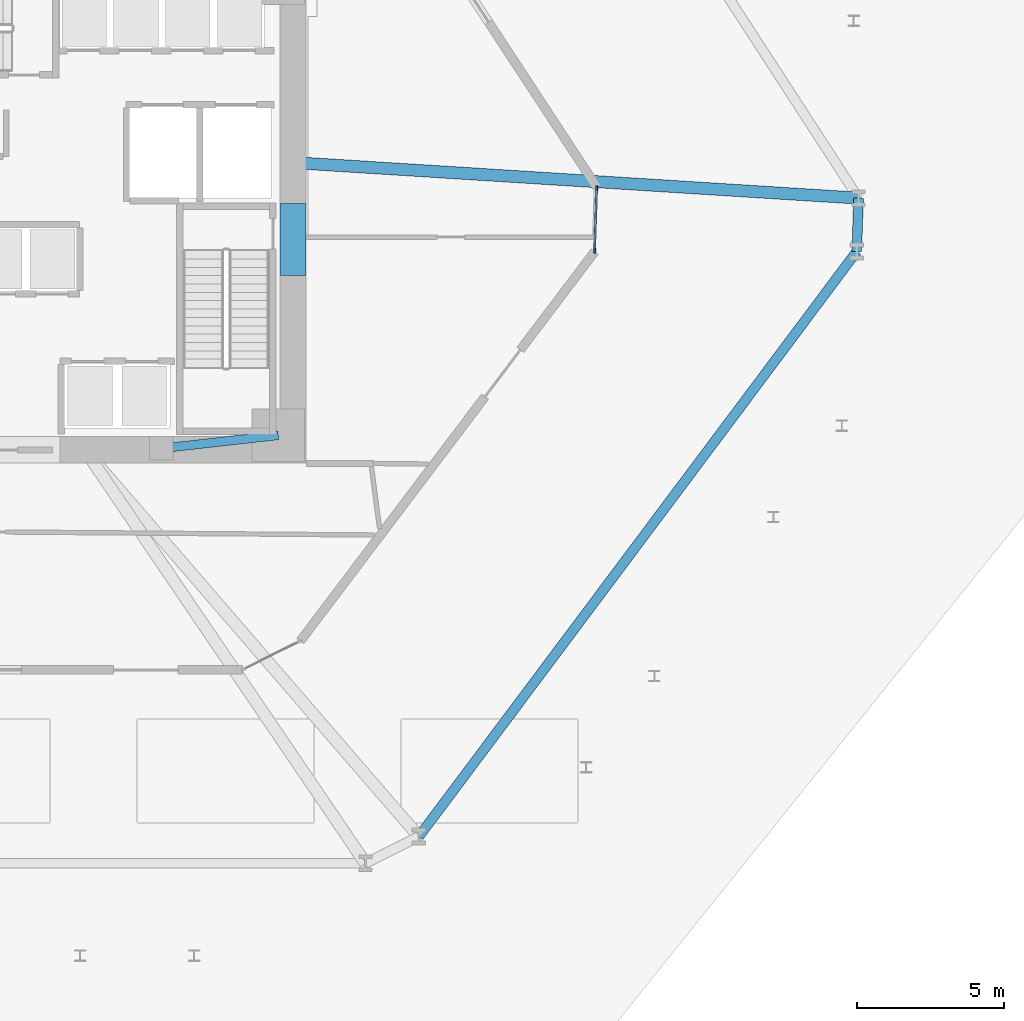
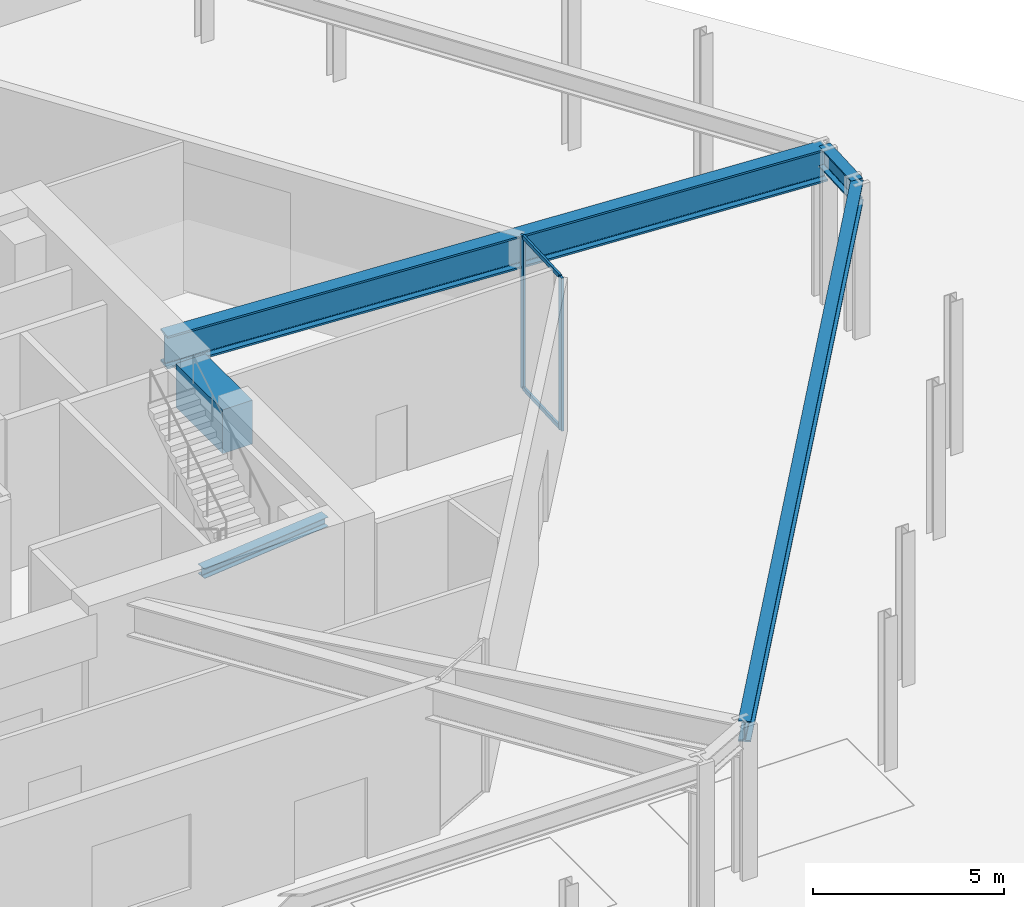
# One storey, part 8 of 18: 5 beams, 4 members, 1 element without a shape of its own.
"""IFC4 building model written with IfcOpenShell, lengths in metres."""

from ifc_helpers import new_model, si_unit, direction, frame, origin, origin_2d, place, context, subcontext, project, spatial, rectangle, i_section, extrude, source, transform, mapped, material, layer, layer_set, material_profile, profile_set, type_object, type_shapes, element, aggregate, save


model = new_model("IFC4")

# Units and contexts
model_context = context("Model", 3, precision=1e-05, world=origin(), true_north=direction((0.0, 1.0)))
body_context = subcontext(model_context, "Body", "Model", "MODEL_VIEW")
ifc_project = project(units=[si_unit("LENGTHUNIT", "METRE"), si_unit("AREAUNIT", "SQUARE_METRE"), si_unit("VOLUMEUNIT", "CUBIC_METRE"), si_unit("PLANEANGLEUNIT", "RADIAN"), si_unit("MASSUNIT", "GRAM", prefix="KILO")], contexts=[model_context])

# Site, building, storey
site_placement = place(None, origin())
site = spatial("IfcSite", under=ifc_project, at=site_placement, CompositionType="ELEMENT")
building_placement = place(site_placement, origin())
building = spatial("IfcBuilding", under=site, at=building_placement, Name="Durnholm Broadcast Tower", CompositionType="ELEMENT")
storey_placement = place(building_placement, origin())
storey = spatial("IfcBuildingStorey", under=building, at=storey_placement, Name="L00", CompositionType="ELEMENT", Elevation=0.0)

# Beams
ifc_material_1 = material(Name="Steel ASTM A992 Grade 50", Category="steel")
ifc_material_profile_1 = material_profile(ifc_material_1, i_section(OverallWidth=0.3330078125, OverallDepth=0.660888671875, WebThickness=0.0244140625, FlangeThickness=0.0439453125, FilletRadius=0.02783203125, at=origin_2d()), Name="W24X229")
ifc_profile_set_1 = profile_set([ifc_material_profile_1], Name="Steel ASTM A992 Grade 50")
beam_type_1 = type_object("IfcBeamType", Name="STL-SP-W24X229", PredefinedType="SPANDREL", material=ifc_profile_set_1)
shared_shape_1 = source(origin(), body_context, "Body", "SweptSolid", [
    extrude(i_section(OverallWidth=0.3330078125, OverallDepth=0.660888671875, WebThickness=0.0244140625, FlangeThickness=0.0439453125, FilletRadius=0.02783203125, at=origin_2d()), origin(), (0.0, 0.0, 1.0), 1.820068359375),
])
beam_1_placement = place(storey_placement, frame((29.590576171875, 0.28857421875, 4.5546875), z_axis=(-0.033667655889, -0.999433083776, 0.0), x_axis=(0.999433083776, -0.033667655889, 0.0)))
element("IfcBeam", 1, at=beam_1_placement, inside=storey, type_object=beam_type_1, Name="L00 perimeter spandrel girder 08", PredefinedType="SPANDREL", context=body_context, shape_type="MappedRepresentation", body=[
    mapped(shared_shape_1, transform((0.0, 0.0, 0.0), x_axis=(1.0, 0.0, 0.0), y_axis=(0.0, 1.0, 0.0), z_axis=(0.0, 0.0, 1.0), scale=1.0)),
])
shared_shape_2 = source(origin(), body_context, "Body", "SweptSolid", [
    extrude(i_section(OverallWidth=0.3330078125, OverallDepth=0.660888671875, WebThickness=0.0244140625, FlangeThickness=0.0439453125, FilletRadius=0.02783203125, at=origin_2d()), origin(), (0.0, 0.0, 1.0), 24.926513671875),
])
type_shapes(beam_type_1, [shared_shape_1, shared_shape_2])
beam_2_placement = place(storey_placement, frame((29.529296875, -1.530517578125, 4.5546875), z_axis=(-0.599153427318, -0.800634230178, 0.0), x_axis=(0.800634230178, -0.599153427318, 0.0)))
element("IfcBeam", 2, at=beam_2_placement, inside=storey, type_object=beam_type_1, Name="L00 perimeter spandrel girder 09", PredefinedType="SPANDREL", context=body_context, shape_type="MappedRepresentation", body=[
    mapped(shared_shape_2, transform((0.0, 0.0, 0.0), x_axis=(1.0, 0.0, 0.0), y_axis=(0.0, 1.0, 0.0), z_axis=(0.0, 0.0, 1.0), scale=1.0)),
])
ifc_material_profile_2 = material_profile(ifc_material_1, i_section(OverallWidth=0.3046875, OverallDepth=0.307861328125, WebThickness=0.010009765625, FlangeThickness=0.015380859375, FilletRadius=0.019287109375, at=origin_2d()), Name="W12X65")
ifc_profile_set_2 = profile_set([ifc_material_profile_2], Name="Steel ASTM A992 Grade 50")
beam_type_2 = type_object("IfcBeamType", Name="STL-BL-W12X65", PredefinedType="LINTEL", material=ifc_profile_set_2)
shared_shape_3 = source(origin(), body_context, "Body", "SweptSolid", [
    extrude(i_section(OverallWidth=0.3046875, OverallDepth=0.307861328125, WebThickness=0.010009765625, FlangeThickness=0.015380859375, FilletRadius=0.019287109375, at=origin_2d()), origin(), (0.0, 0.0, 1.0), 4.025146484375),
])
type_shapes(beam_type_2, [shared_shape_3])
beam_3_placement = place(storey_placement, frame((9.800048828125, -7.800048828125, 4.731201171875), z_axis=(-0.993732663715, -0.111782794142, 0.0), x_axis=(0.111782794142, -0.993732663715, 0.0)))
element("IfcBeam", 3, at=beam_3_placement, inside=storey, type_object=beam_type_2, Name="L00 east pilaster tie lintel", PredefinedType="LINTEL", context=body_context, shape_type="MappedRepresentation", body=[
    mapped(shared_shape_3, transform((0.0, 0.0, 0.0), x_axis=(1.0, 0.0, 0.0), y_axis=(0.0, 1.0, 0.0), z_axis=(0.0, 0.0, 1.0), scale=1.0)),
])
ifc_material_2 = material(Name="Concrete C70/85", Category="concrete")
ifc_material_profile_3 = material_profile(ifc_material_2, rectangle(XDim=0.89990234375, YDim=1.39990234375, at=origin_2d()), Name="RC900X1400")
ifc_profile_set_3 = profile_set([ifc_material_profile_3], Name="Concrete C70/85")
beam_type_3 = type_object("IfcBeamType", Name="BM-CB-RC1400", PredefinedType="LINTEL", material=ifc_profile_set_3)
shared_shape_4 = source(origin(), body_context, "Body", "SweptSolid", [
    extrude(rectangle(XDim=0.89990234375, YDim=1.39990234375, at=origin_2d()), origin(), (0.0, 0.0, 1.0), 2.4501953125),
])
type_shapes(beam_type_3, [shared_shape_4])
beam_4_placement = place(storey_placement, frame((10.300048828125, -2.35009765625, 4.195068359375), z_axis=(0.0, 1.0, 0.0), x_axis=(-1.0, 0.0, 0.0)))
element("IfcBeam", 4, at=beam_4_placement, inside=storey, type_object=beam_type_3, Name="L00 east core stair discharge coupling lintel beam CB-E", PredefinedType="LINTEL", context=body_context, shape_type="MappedRepresentation", body=[
    mapped(shared_shape_4, transform((0.0, 0.0, 0.0), x_axis=(1.0, 0.0, 0.0), y_axis=(0.0, 1.0, 0.0), z_axis=(0.0, 0.0, 1.0), scale=1.0)),
])
ifc_material_profile_4 = material_profile(ifc_material_1, i_section(OverallWidth=0.412109375, OverallDepth=1.048095703125, WebThickness=0.033935546875, FlangeThickness=0.059814453125, FilletRadius=0.04052734375, at=origin_2d()), Name="W40X431")
ifc_profile_set_4 = profile_set([ifc_material_profile_4], Name="Steel ASTM A992 Grade 50")
beam_type_4 = type_object("IfcBeamType", Name="STL-TG-W40X431", PredefinedType="USERDEFINED", material=ifc_profile_set_4)
shared_shape_5 = source(origin(), body_context, "Body", "SweptSolid", [
    extrude(i_section(OverallWidth=0.412109375, OverallDepth=1.048095703125, WebThickness=0.033935546875, FlangeThickness=0.059814453125, FilletRadius=0.04052734375, at=origin_2d()), origin(), (0.0, 0.0, 1.0), 19.32861328125),
])
type_shapes(beam_type_4, [shared_shape_5])
beam_5_placement = place(storey_placement, frame((10.300048828125, 1.5, 4.361083984375), z_axis=(0.998033956176, -0.062675532065, 0.0), x_axis=(0.062675532065, 0.998033956176, 0.0)))
element("IfcBeam", 5, at=beam_5_placement, inside=storey, type_object=beam_type_4, Name="L00 radial primary floor girder 08", ObjectType="GIRDER", PredefinedType="USERDEFINED", context=body_context, shape_type="MappedRepresentation", body=[
    mapped(shared_shape_5, transform((0.0, 0.0, 0.0), x_axis=(1.0, 0.0, 0.0), y_axis=(0.0, 1.0, 0.0), z_axis=(0.0, 0.0, 1.0), scale=1.0)),
])

# Curtain wall, members
ifc_material_3 = material(Name="Aluminium and Solar Control IGU", Category="aluminium")
ifc_layer = layer(ifc_material_3, 0.1650390625)
ifc_layer_set = layer_set([ifc_layer], Name="Aluminium and Solar Control IGU")
curtain_wall_type = type_object("IfcCurtainWallType", Name="CW-SYS-5", PredefinedType="NOTDEFINED", material=ifc_layer_set)
curtain_wall_placement = place(storey_placement, origin())
curtain_wall = element("IfcCurtainWall", 6, at=curtain_wall_placement, inside=storey, type_object=curtain_wall_type, Name="L00 curtain wall CW-CORNER CW-L00-CRN-07", PredefinedType="NOTDEFINED")
ifc_material_4 = material(Name="Aluminium 6063-T6", Category="aluminium")
ifc_material_profile_5 = material_profile(ifc_material_4, rectangle(XDim=0.06494140625, YDim=0.1650390625, at=origin_2d()), Name="CWM65X165")
ifc_profile_set_5 = profile_set([ifc_material_profile_5], Name="Aluminium 6063-T6")
member_type_1 = type_object("IfcMemberType", Name="CW-SYS-5-MUL", PredefinedType="MULLION", material=ifc_profile_set_5)
shared_shape_6 = source(origin(), body_context, "Body", "SweptSolid", [
    extrude(rectangle(XDim=0.06494140625, YDim=0.1650390625, at=origin_2d()), origin(), (0.0, 0.0, 1.0), 4.89990234375),
])
type_shapes(member_type_1, [shared_shape_6])
member_1_placement = place(storey_placement, frame((20.6611328125, 0.62841796875, 0.0), z_axis=(0.0, 0.0, 1.0), x_axis=(0.999440256039, -0.033454067148, 0.0)))
member_1 = element("IfcMember", 7, at=member_1_placement, type_object=member_type_1, Name="CW-CORNER mullion 1", PredefinedType="MULLION", context=body_context, shape_type="MappedRepresentation", body=[
    mapped(shared_shape_6, transform((0.0, 0.0, 0.0), x_axis=(1.0, 0.0, 0.0), y_axis=(0.0, 1.0, 0.0), z_axis=(0.0, 0.0, 1.0), scale=1.0)),
])
member_2_placement = place(storey_placement, frame((20.589599609375, -1.50537109375, 0.0), z_axis=(0.0, 0.0, 1.0), x_axis=(0.999440256039, -0.033454067148, 0.0)))
member_2 = element("IfcMember", 8, at=member_2_placement, type_object=member_type_1, Name="CW-CORNER mullion 2", PredefinedType="MULLION", context=body_context, shape_type="MappedRepresentation", body=[
    mapped(shared_shape_6, transform((0.0, 0.0, 0.0), x_axis=(1.0, 0.0, 0.0), y_axis=(0.0, 1.0, 0.0), z_axis=(0.0, 0.0, 1.0), scale=1.0)),
])
ifc_material_profile_6 = material_profile(ifc_material_4, rectangle(XDim=0.06494140625, YDim=0.1298828125, at=origin_2d()), Name="CWT65X130")
ifc_profile_set_6 = profile_set([ifc_material_profile_6], Name="Aluminium 6063-T6")
member_type_2 = type_object("IfcMemberType", Name="CW-SYS-5-TRN", PredefinedType="USERDEFINED", material=ifc_profile_set_6)
shared_shape_7 = source(origin(), body_context, "Body", "SweptSolid", [
    extrude(rectangle(XDim=0.06494140625, YDim=0.1298828125, at=origin_2d()), origin(), (0.0, 0.0, 1.0), 2.070068359375),
])
type_shapes(member_type_2, [shared_shape_7])
member_3_placement = place(storey_placement, frame((20.659912109375, 0.595947265625, 0.032470703125), z_axis=(-0.033377662898, -0.99944281058, 0.0), x_axis=(0.99944281058, -0.033377662898, 0.0)))
member_3 = element("IfcMember", 9, at=member_3_placement, type_object=member_type_2, Name="CW-CORNER transom 1.1", ObjectType="TRANSOM", PredefinedType="USERDEFINED", context=body_context, shape_type="MappedRepresentation", body=[
    mapped(shared_shape_7, transform((0.0, 0.0, 0.0), x_axis=(1.0, 0.0, 0.0), y_axis=(0.0, 1.0, 0.0), z_axis=(0.0, 0.0, 1.0), scale=1.0)),
])
member_4_placement = place(storey_placement, frame((20.659912109375, 0.595947265625, 4.867431640625), z_axis=(-0.033377662898, -0.99944281058, 0.0), x_axis=(0.99944281058, -0.033377662898, 0.0)))
member_4 = element("IfcMember", 10, at=member_4_placement, type_object=member_type_2, Name="CW-CORNER transom 1.2", ObjectType="TRANSOM", PredefinedType="USERDEFINED", context=body_context, shape_type="MappedRepresentation", body=[
    mapped(shared_shape_7, transform((0.0, 0.0, 0.0), x_axis=(1.0, 0.0, 0.0), y_axis=(0.0, 1.0, 0.0), z_axis=(0.0, 0.0, 1.0), scale=1.0)),
])
aggregate(curtain_wall, [member_1, member_2, member_3, member_4])

save(model, "model.ifc")
